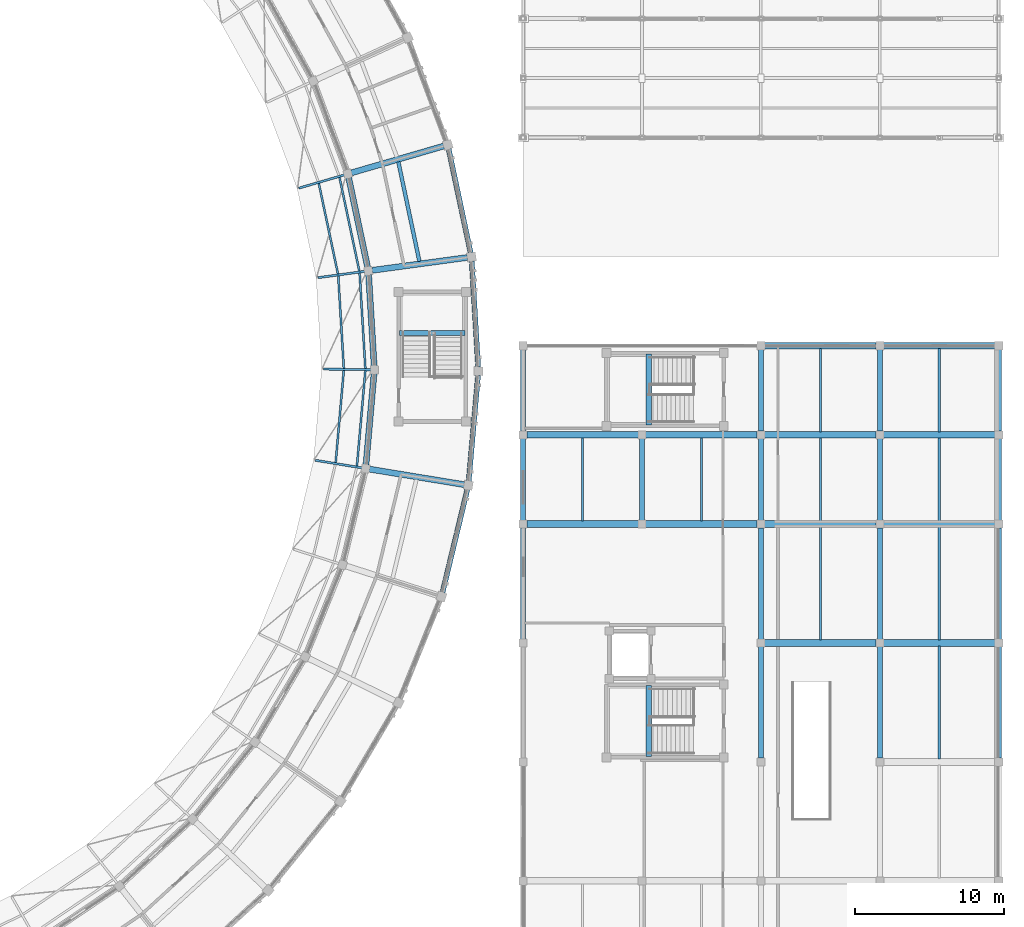
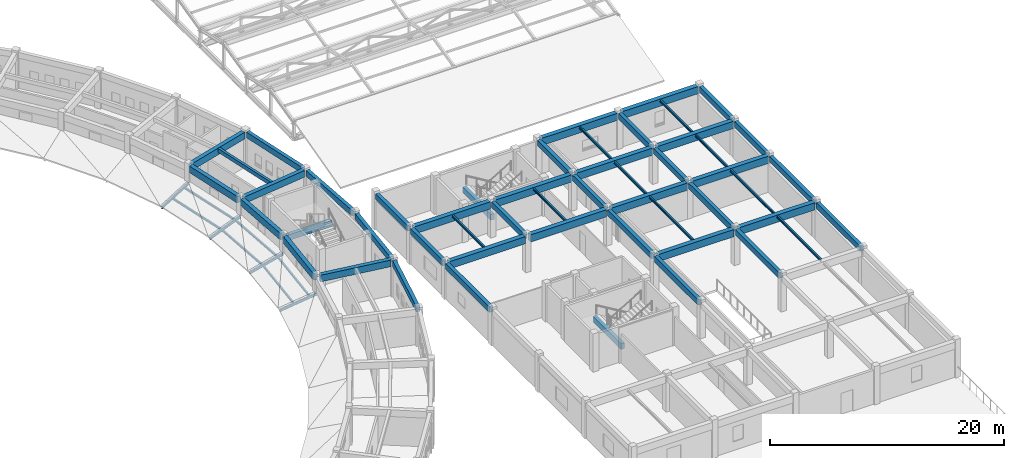
# One storey, part 36 of 112: 51 beams, 10 members.
"""IFC4 building model written with IfcOpenShell, lengths in metres."""

from ifc_helpers import new_model, si_unit, direction, frame, origin, origin_2d, place, context, subcontext, project, spatial, rectangle, i_section, extrude, material, material_profile, profile_set, type_object, element, save


model = new_model("IFC4")

# Units and contexts
model_context = context("Model", 3, precision=1e-05, world=origin(), true_north=direction((0.0, 1.0)))
body_context = subcontext(model_context, "Body", "Model", "MODEL_VIEW")
ifc_project = project(units=[si_unit("LENGTHUNIT", "METRE"), si_unit("AREAUNIT", "SQUARE_METRE"), si_unit("VOLUMEUNIT", "CUBIC_METRE"), si_unit("PLANEANGLEUNIT", "RADIAN"), si_unit("MASSUNIT", "GRAM", prefix="KILO")], contexts=[model_context])

# Site, building, storey
site_placement = place(None, origin())
site = spatial("IfcSite", under=ifc_project, at=site_placement, CompositionType="ELEMENT")
building_placement = place(site_placement, origin())
building = spatial("IfcBuilding", under=site, at=building_placement, Name="Celadon Cloister-Ring School", CompositionType="ELEMENT")
storey_placement = place(building_placement, frame((0.0, 0.0, 8.5)))
storey = spatial("IfcBuildingStorey", under=building, at=storey_placement, Name="L02", CompositionType="ELEMENT", Elevation=8.5)

# Beams
ifc_material_1 = material(Name="Concrete C35/45", Category="concrete")
ifc_material_profile_1 = material_profile(ifc_material_1, rectangle(XDim=0.35009765625, YDim=0.60009765625, at=origin_2d()), Name="RC350X600")
ifc_profile_set_1 = profile_set([ifc_material_profile_1], Name="Concrete C35/45")
beam_type_1 = type_object("IfcBeamType", Name="BT-02", PredefinedType="BEAM", material=ifc_profile_set_1)
beam_1_placement = place(storey_placement, frame((142.0, 40.25, 3.4599609375), z_axis=(0.0, 1.0, 0.0), x_axis=(-1.0, 0.0, 0.0)))
element("IfcBeam", 1, at=beam_1_placement, inside=storey, type_object=beam_type_1, Name="Beam 1403", PredefinedType="BEAM", context=body_context, shape_type="SweptSolid", body=[
    extrude(rectangle(XDim=0.35009765625, YDim=0.60009765625, at=origin_2d()), origin(), (0.0, 0.0, 1.0), 7.5),
])
for number, where, z_axis, x_axis, name in (
    (2, (142.0, 48.25, 3.4599609375), (0.0, 1.0, 0.0), (-1.0, 0.0, 0.0), "Beam 1404"),
    (3, (142.0, 54.25, 3.4599609375), (0.0, 1.0, 0.0), (-1.0, 0.0, 0.0), "Beam 1405"),
    (4, (150.0, 48.25, 3.4599609375), (0.0, 1.0, 0.0), (-1.0, 0.0, 0.0), "Beam 1407"),
):
    element("IfcBeam", number, at=place(storey_placement, frame(where, z_axis=z_axis, x_axis=x_axis)), inside=storey, type_object=beam_type_1, Name=name, PredefinedType="BEAM", context=body_context, shape_type="SweptSolid", body=[
        extrude(rectangle(XDim=0.35009765625, YDim=0.60009765625, at=origin_2d()), origin(), (0.0, 0.0, 1.0), 5.5),
    ])
for number, where, z_axis, x_axis, name in (
    (5, (158.0, 32.25, 3.4599609375), (0.0, 1.0, 0.0), (-1.0, 0.0, 0.0), "Beam 1410"),
    (6, (158.0, 40.25, 3.4599609375), (0.0, 1.0, 0.0), (-1.0, 0.0, 0.0), "Beam 1411"),
):
    element("IfcBeam", number, at=place(storey_placement, frame(where, z_axis=z_axis, x_axis=x_axis)), inside=storey, type_object=beam_type_1, Name=name, PredefinedType="BEAM", context=body_context, shape_type="SweptSolid", body=[
        extrude(rectangle(XDim=0.35009765625, YDim=0.60009765625, at=origin_2d()), origin(), (0.0, 0.0, 1.0), 7.5),
    ])
for number, where, z_axis, x_axis, name in (
    (7, (158.0, 48.25, 3.4599609375), (0.0, 1.0, 0.0), (-1.0, 0.0, 0.0), "Beam 1412"),
    (8, (158.0, 54.25, 3.4599609375), (0.0, 1.0, 0.0), (-1.0, 0.0, 0.0), "Beam 1413"),
):
    element("IfcBeam", number, at=place(storey_placement, frame(where, z_axis=z_axis, x_axis=x_axis)), inside=storey, type_object=beam_type_1, Name=name, PredefinedType="BEAM", context=body_context, shape_type="SweptSolid", body=[
        extrude(rectangle(XDim=0.35009765625, YDim=0.60009765625, at=origin_2d()), origin(), (0.0, 0.0, 1.0), 5.5),
    ])
for number, where, z_axis, x_axis, name in (
    (9, (166.0, 32.25, 3.4599609375), (0.0, 1.0, 0.0), (-1.0, 0.0, 0.0), "Beam 1416"),
    (10, (166.0, 40.25, 3.4599609375), (0.0, 1.0, 0.0), (-1.0, 0.0, 0.0), "Beam 1417"),
):
    element("IfcBeam", number, at=place(storey_placement, frame(where, z_axis=z_axis, x_axis=x_axis)), inside=storey, type_object=beam_type_1, Name=name, PredefinedType="BEAM", context=body_context, shape_type="SweptSolid", body=[
        extrude(rectangle(XDim=0.35009765625, YDim=0.60009765625, at=origin_2d()), origin(), (0.0, 0.0, 1.0), 7.5),
    ])
for number, where, z_axis, x_axis, name in (
    (11, (166.0, 48.25, 3.4599609375), (0.0, 1.0, 0.0), (-1.0, 0.0, 0.0), "Beam 1418"),
    (12, (166.0, 54.25, 3.4599609375), (0.0, 1.0, 0.0), (-1.0, 0.0, 0.0), "Beam 1419"),
):
    element("IfcBeam", number, at=place(storey_placement, frame(where, z_axis=z_axis, x_axis=x_axis)), inside=storey, type_object=beam_type_1, Name=name, PredefinedType="BEAM", context=body_context, shape_type="SweptSolid", body=[
        extrude(rectangle(XDim=0.35009765625, YDim=0.60009765625, at=origin_2d()), origin(), (0.0, 0.0, 1.0), 5.5),
    ])
for number, where, z_axis, x_axis, name in (
    (13, (174.0, 32.25, 3.4599609375), (0.0, 1.0, 0.0), (-1.0, 0.0, 0.0), "Beam 1422"),
    (14, (174.0, 40.25, 3.4599609375), (0.0, 1.0, 0.0), (-1.0, 0.0, 0.0), "Beam 1423"),
):
    element("IfcBeam", number, at=place(storey_placement, frame(where, z_axis=z_axis, x_axis=x_axis)), inside=storey, type_object=beam_type_1, Name=name, PredefinedType="BEAM", context=body_context, shape_type="SweptSolid", body=[
        extrude(rectangle(XDim=0.35009765625, YDim=0.60009765625, at=origin_2d()), origin(), (0.0, 0.0, 1.0), 7.5),
    ])
for number, where, z_axis, x_axis, name in (
    (15, (174.0, 48.25, 3.4599609375), (0.0, 1.0, 0.0), (-1.0, 0.0, 0.0), "Beam 1424"),
    (16, (174.0, 54.25, 3.4599609375), (0.0, 1.0, 0.0), (-1.0, 0.0, 0.0), "Beam 1425"),
):
    element("IfcBeam", number, at=place(storey_placement, frame(where, z_axis=z_axis, x_axis=x_axis)), inside=storey, type_object=beam_type_1, Name=name, PredefinedType="BEAM", context=body_context, shape_type="SweptSolid", body=[
        extrude(rectangle(XDim=0.35009765625, YDim=0.60009765625, at=origin_2d()), origin(), (0.0, 0.0, 1.0), 5.5),
    ])
beam_2_placement = place(storey_placement, frame((150.449951171875, 32.35009765625, 1.419921875), z_axis=(0.0, 1.0, 0.0), x_axis=(-1.0, 0.0, 0.0)))
element("IfcBeam", 17, at=beam_2_placement, inside=storey, type_object=beam_type_1, Name="Stair Landing Beam 1747", PredefinedType="BEAM", context=body_context, shape_type="SweptSolid", body=[
    extrude(rectangle(XDim=0.35009765625, YDim=0.60009765625, at=origin_2d()), origin(), (0.0, 0.0, 1.0), 4.7998046875),
])
beam_3_placement = place(storey_placement, frame((150.449951171875, 54.64990234375, 1.39990234375), z_axis=(0.0, 1.0, 0.0), x_axis=(-1.0, 0.0, 0.0)))
element("IfcBeam", 18, at=beam_3_placement, inside=storey, type_object=beam_type_1, Name="Stair Landing Beam 1750", PredefinedType="BEAM", context=body_context, shape_type="SweptSolid", body=[
    extrude(rectangle(XDim=0.35009765625, YDim=0.60009765625, at=origin_2d()), origin(), (0.0, 0.0, 1.0), 4.800048828125),
])
beam_4_placement = place(storey_placement, frame((133.679931640625, 60.85009765625, 1.39990234375), z_axis=(1.0, 0.0, 0.0), x_axis=(0.0, 1.0, 0.0)))
element("IfcBeam", 19, at=beam_4_placement, inside=storey, type_object=beam_type_1, Name="Stair Landing Beam 1759", PredefinedType="BEAM", context=body_context, shape_type="SweptSolid", body=[
    extrude(rectangle(XDim=0.35009765625, YDim=0.60009765625, at=origin_2d()), origin(), (0.0, 0.0, 1.0), 4.420166015625),
])
ifc_material_2 = material(Name="Concrete C35/45", Category="concrete")
ifc_material_profile_2 = material_profile(ifc_material_2, rectangle(XDim=0.449951171875, YDim=0.75, at=origin_2d()), Name="RC450X750")
ifc_profile_set_2 = profile_set([ifc_material_profile_2], Name="Concrete C35/45")
beam_type_2 = type_object("IfcBeamType", Name="GT-02", PredefinedType="USERDEFINED", material=ifc_profile_set_2)
for number, where, z_axis, x_axis, name in (
    (20, (158.25, 40.0, 3.385009765625), (1.0, 0.0, 0.0), (0.0, 1.0, 0.0), "Beam 1388"),
    (21, (166.25, 40.0, 3.385009765625), (1.0, 0.0, 0.0), (0.0, 1.0, 0.0), "Beam 1389"),
    (22, (142.25, 48.0, 3.385009765625), (1.0, 0.0, 0.0), (0.0, 1.0, 0.0), "Beam 1390"),
    (23, (150.25, 48.0, 3.385009765625), (1.0, 0.0, 0.0), (0.0, 1.0, 0.0), "Beam 1391"),
    (24, (158.25, 48.0, 3.385009765625), (1.0, 0.0, 0.0), (0.0, 1.0, 0.0), "Beam 1392"),
    (25, (166.25, 48.0, 3.385009765625), (1.0, 0.0, 0.0), (0.0, 1.0, 0.0), "Beam 1393"),
    (26, (142.25, 54.0, 3.385009765625), (1.0, 0.0, 0.0), (0.0, 1.0, 0.0), "Beam 1394"),
    (27, (150.25, 54.0, 3.385009765625), (1.0, 0.0, 0.0), (0.0, 1.0, 0.0), "Beam 1395"),
    (28, (158.25, 54.0, 3.385009765625), (1.0, 0.0, 0.0), (0.0, 1.0, 0.0), "Beam 1396"),
    (29, (166.25, 54.0, 3.385009765625), (1.0, 0.0, 0.0), (0.0, 1.0, 0.0), "Beam 1397"),
    (30, (158.25, 60.0, 3.385009765625), (1.0, 0.0, 0.0), (0.0, 1.0, 0.0), "Beam 1398"),
    (31, (166.25, 60.0, 3.385009765625), (1.0, 0.0, 0.0), (0.0, 1.0, 0.0), "Beam 1399"),
):
    element("IfcBeam", number, at=place(storey_placement, frame(where, z_axis=z_axis, x_axis=x_axis)), inside=storey, type_object=beam_type_2, Name=name, ObjectType="GIRDER", PredefinedType="USERDEFINED", context=body_context, shape_type="SweptSolid", body=[
        extrude(rectangle(XDim=0.449951171875, YDim=0.75, at=origin_2d()), origin(), (0.0, 0.0, 1.0), 7.5),
    ])
ifc_material_3 = material(Name="Concrete C35/45", Category="concrete")
ifc_material_profile_3 = material_profile(ifc_material_3, rectangle(XDim=0.39990234375, YDim=0.699951171875, at=origin_2d()), Name="RC400X700")
ifc_profile_set_3 = profile_set([ifc_material_profile_3], Name="Concrete C35/45")
beam_type_3 = type_object("IfcBeamType", Name="GT-03", PredefinedType="USERDEFINED", material=ifc_profile_set_3)
beam_5_placement = place(storey_placement, frame((138.047119140625, 50.65087890625, 3.449951171875), z_axis=(-0.986862671794, 0.161561341355, 0.0), x_axis=(-0.161561341355, -0.986862671794, 0.0)))
element("IfcBeam", 32, at=beam_5_placement, inside=storey, type_object=beam_type_3, Name="Beam 0421", ObjectType="GIRDER", PredefinedType="USERDEFINED", context=body_context, shape_type="SweptSolid", body=[
    extrude(rectangle(XDim=0.39990234375, YDim=0.699951171875, at=origin_2d()), origin(), (0.0, 0.0, 1.0), 6.47509765625),
])
beam_6_placement = place(storey_placement, frame((138.258056640625, 65.93408203125, 3.449951171875), z_axis=(-0.990969152205, -0.134090042056, 0.0), x_axis=(0.134090042056, -0.990969152205, 0.0)))
element("IfcBeam", 33, at=beam_6_placement, inside=storey, type_object=beam_type_3, Name="Beam 0422", ObjectType="GIRDER", PredefinedType="USERDEFINED", context=body_context, shape_type="SweptSolid", body=[
    extrude(rectangle(XDim=0.39990234375, YDim=0.699951171875, at=origin_2d()), origin(), (0.0, 0.0, 1.0), 6.474365234375),
])
beam_7_placement = place(storey_placement, frame((136.6708984375, 73.430908203125, 3.449951171875), z_axis=(-0.960318214268, -0.278906664217, 0.0), x_axis=(0.278906664217, -0.960318214268, 0.0)))
element("IfcBeam", 34, at=beam_7_placement, inside=storey, type_object=beam_type_3, Name="Beam 0423", ObjectType="GIRDER", PredefinedType="USERDEFINED", context=body_context, shape_type="SweptSolid", body=[
    extrude(rectangle(XDim=0.39990234375, YDim=0.699951171875, at=origin_2d()), origin(), (0.0, 0.0, 1.0), 6.474853515625),
])
beam_8_placement = place(storey_placement, frame((131.431884765625, 51.986083984375, 3.449951171875), z_axis=(0.087929628242, 0.996126688969, 0.0), x_axis=(-0.996126688969, 0.087929628242, 0.0)))
element("IfcBeam", 35, at=beam_8_placement, inside=storey, type_object=beam_type_3, Name="Beam 0503", ObjectType="GIRDER", PredefinedType="USERDEFINED", context=body_context, shape_type="SweptSolid", body=[
    extrude(rectangle(XDim=0.39990234375, YDim=0.699951171875, at=origin_2d()), origin(), (0.0, 0.0, 1.0), 6.166748046875),
])
beam_9_placement = place(storey_placement, frame((131.98095703125, 58.6279296875, 3.449951171875), z_axis=(-0.060349198433, 0.998177326054, 0.0), x_axis=(-0.998177326054, -0.060349198433, 0.0)))
element("IfcBeam", 36, at=beam_9_placement, inside=storey, type_object=beam_type_3, Name="Beam 0505", ObjectType="GIRDER", PredefinedType="USERDEFINED", context=body_context, shape_type="SweptSolid", body=[
    extrude(rectangle(XDim=0.39990234375, YDim=0.699951171875, at=origin_2d()), origin(), (0.0, 0.0, 1.0), 6.165283203125),
])
beam_10_placement = place(storey_placement, frame((131.5419921875, 65.277099609375, 3.449951171875), z_axis=(-0.207097779253, 0.978320249115, 0.0), x_axis=(-0.978320249115, -0.207097779253, 0.0)))
element("IfcBeam", 37, at=beam_10_placement, inside=storey, type_object=beam_type_3, Name="Beam 0507", ObjectType="GIRDER", PredefinedType="USERDEFINED", context=body_context, shape_type="SweptSolid", body=[
    extrude(rectangle(XDim=0.39990234375, YDim=0.699951171875, at=origin_2d()), origin(), (0.0, 0.0, 1.0), 6.166748046875),
])
ifc_material_4 = material(Name="Concrete C35/45", Category="concrete")
ifc_material_profile_4 = material_profile(ifc_material_4, rectangle(XDim=0.25, YDim=0.39990234375, at=origin_2d()), Name="RC250X400")
ifc_profile_set_4 = profile_set([ifc_material_profile_4], Name="Concrete C35/45")
beam_type_4 = type_object("IfcBeamType", Name="JT-02", PredefinedType="JOIST", material=ifc_profile_set_4)
beam_11_placement = place(storey_placement, frame((135.02587890625, 65.673095703125, 3.60009765625), z_axis=(-0.20712821328, 0.978313806129, 0.0), x_axis=(-0.978313806129, -0.20712821328, 0.0)))
element("IfcBeam", 38, at=beam_11_placement, inside=storey, type_object=beam_type_4, Name="Beam 0508", PredefinedType="JOIST", context=body_context, shape_type="SweptSolid", body=[
    extrude(rectangle(XDim=0.25, YDim=0.39990234375, at=origin_2d()), origin(), (0.0, 0.0, 1.0), 6.835205078125),
])
ifc_material_5 = material(Name="Structural steel S355JR", Category="steel")
ifc_material_profile_5 = material_profile(ifc_material_5, i_section(OverallWidth=0.14599609375, OverallDepth=0.258056640625, WebThickness=0.006103515625, FlangeThickness=0.009033203125, at=origin_2d()), Name="W250X33")
ifc_profile_set_5 = profile_set([ifc_material_profile_5], Name="Structural steel S355JR")
beam_type_5 = type_object("IfcBeamType", Name="JT-04", PredefinedType="JOIST", material=ifc_profile_set_5)
for number, where, z_axis, x_axis, name in (
    (39, (146.0, 48.199951171875, 3.631103515625), (0.0, 1.0, 0.0), (-1.0, 0.0, 0.0), "Beam 1427"),
    (40, (154.0, 48.199951171875, 3.631103515625), (0.0, 1.0, 0.0), (-1.0, 0.0, 0.0), "Beam 1429"),
):
    element("IfcBeam", number, at=place(storey_placement, frame(where, z_axis=z_axis, x_axis=x_axis)), inside=storey, type_object=beam_type_5, Name=name, PredefinedType="JOIST", context=body_context, shape_type="SweptSolid", body=[
        extrude(i_section(OverallWidth=0.14599609375, OverallDepth=0.258056640625, WebThickness=0.006103515625, FlangeThickness=0.009033203125, at=origin_2d()), origin(), (0.0, 0.0, 1.0), 5.60009765625),
    ])
beam_12_placement = place(storey_placement, frame((162.0, 40.199951171875, 3.631103515625), z_axis=(0.0, 1.0, 0.0), x_axis=(-1.0, 0.0, 0.0)))
element("IfcBeam", 41, at=beam_12_placement, inside=storey, type_object=beam_type_5, Name="Beam 1430", PredefinedType="JOIST", context=body_context, shape_type="SweptSolid", body=[
    extrude(i_section(OverallWidth=0.14599609375, OverallDepth=0.258056640625, WebThickness=0.006103515625, FlangeThickness=0.009033203125, at=origin_2d()), origin(), (0.0, 0.0, 1.0), 7.60009765625),
])
for number, where, z_axis, x_axis, name in (
    (42, (162.0, 48.199951171875, 3.631103515625), (0.0, 1.0, 0.0), (-1.0, 0.0, 0.0), "Beam 1431"),
    (43, (162.0, 54.199951171875, 3.631103515625), (0.0, 1.0, 0.0), (-1.0, 0.0, 0.0), "Beam 1432"),
):
    element("IfcBeam", number, at=place(storey_placement, frame(where, z_axis=z_axis, x_axis=x_axis)), inside=storey, type_object=beam_type_5, Name=name, PredefinedType="JOIST", context=body_context, shape_type="SweptSolid", body=[
        extrude(i_section(OverallWidth=0.14599609375, OverallDepth=0.258056640625, WebThickness=0.006103515625, FlangeThickness=0.009033203125, at=origin_2d()), origin(), (0.0, 0.0, 1.0), 5.60009765625),
    ])
for number, where, z_axis, x_axis, name in (
    (44, (170.0, 32.199951171875, 3.631103515625), (0.0, 1.0, 0.0), (-1.0, 0.0, 0.0), "Beam 1435"),
    (45, (170.0, 40.199951171875, 3.631103515625), (0.0, 1.0, 0.0), (-1.0, 0.0, 0.0), "Beam 1436"),
):
    element("IfcBeam", number, at=place(storey_placement, frame(where, z_axis=z_axis, x_axis=x_axis)), inside=storey, type_object=beam_type_5, Name=name, PredefinedType="JOIST", context=body_context, shape_type="SweptSolid", body=[
        extrude(i_section(OverallWidth=0.14599609375, OverallDepth=0.258056640625, WebThickness=0.006103515625, FlangeThickness=0.009033203125, at=origin_2d()), origin(), (0.0, 0.0, 1.0), 7.60009765625),
    ])
for number, where, z_axis, x_axis, name in (
    (46, (170.0, 48.199951171875, 3.631103515625), (0.0, 1.0, 0.0), (-1.0, 0.0, 0.0), "Beam 1437"),
    (47, (170.0, 54.199951171875, 3.631103515625), (0.0, 1.0, 0.0), (-1.0, 0.0, 0.0), "Beam 1438"),
):
    element("IfcBeam", number, at=place(storey_placement, frame(where, z_axis=z_axis, x_axis=x_axis)), inside=storey, type_object=beam_type_5, Name=name, PredefinedType="JOIST", context=body_context, shape_type="SweptSolid", body=[
        extrude(i_section(OverallWidth=0.14599609375, OverallDepth=0.258056640625, WebThickness=0.006103515625, FlangeThickness=0.009033203125, at=origin_2d()), origin(), (0.0, 0.0, 1.0), 5.60009765625),
    ])

# Members
ifc_material_6 = material(Name="Structural steel S355JR", Category="steel")
ifc_material_profile_6 = material_profile(ifc_material_6, i_section(OverallWidth=0.133056640625, OverallDepth=0.20703125, WebThickness=0.005859375, FlangeThickness=0.00830078125, at=origin_2d()), Name="W200X27")
ifc_profile_set_6 = profile_set([ifc_material_profile_6], Name="Structural steel S355JR")
member_type_1 = type_object("IfcMemberType", Name="MP-04", PredefinedType="PURLIN", material=ifc_profile_set_6)
member_1_placement = place(storey_placement, frame((129.386962890625, 52.068115234375, 1.23291015625), z_axis=(0.087871413003, 0.996131826003, 0.0), x_axis=(-0.996131826003, 0.087871413003, 0.0)))
element("IfcMember", 48, at=member_1_placement, inside=storey, type_object=member_type_1, Name="Structural Member 0214", PredefinedType="PURLIN", context=body_context, shape_type="SweptSolid", body=[
    extrude(i_section(OverallWidth=0.133056640625, OverallDepth=0.20703125, WebThickness=0.005859375, FlangeThickness=0.00830078125, at=origin_2d()), origin(), (0.0, 0.0, 1.0), 6.362548828125),
])
member_2_placement = place(storey_placement, frame((130.818115234375, 51.833984375, 1.62890625), z_axis=(0.087858062359, 0.996133003609, 0.0), x_axis=(-0.996133003609, 0.087858062359, 0.0)))
element("IfcMember", 49, at=member_2_placement, inside=storey, type_object=member_type_1, Name="Structural Member 0215", PredefinedType="PURLIN", context=body_context, shape_type="SweptSolid", body=[
    extrude(i_section(OverallWidth=0.133056640625, OverallDepth=0.20703125, WebThickness=0.005859375, FlangeThickness=0.00830078125, at=origin_2d()), origin(), (0.0, 0.0, 1.0), 6.577392578125),
])
member_3_placement = place(storey_placement, frame((129.946044921875, 58.406005859375, 1.23291015625), z_axis=(-0.060347953428, 0.998177401326, 0.0), x_axis=(-0.998177401326, -0.060347953428, 0.0)))
element("IfcMember", 50, at=member_3_placement, inside=storey, type_object=member_type_1, Name="Structural Member 0219", PredefinedType="PURLIN", context=body_context, shape_type="SweptSolid", body=[
    extrude(i_section(OverallWidth=0.133056640625, OverallDepth=0.20703125, WebThickness=0.005859375, FlangeThickness=0.00830078125, at=origin_2d()), origin(), (0.0, 0.0, 1.0), 6.36376953125),
])
member_4_placement = place(storey_placement, frame((131.39599609375, 58.385986328125, 1.62890625), z_axis=(-0.060349383282, 0.998177314878, 0.0), x_axis=(-0.998177314878, -0.060349383282, 0.0)))
element("IfcMember", 51, at=member_4_placement, inside=storey, type_object=member_type_1, Name="Structural Member 0220", PredefinedType="PURLIN", context=body_context, shape_type="SweptSolid", body=[
    extrude(i_section(OverallWidth=0.133056640625, OverallDepth=0.20703125, WebThickness=0.005859375, FlangeThickness=0.00830078125, at=origin_2d()), origin(), (0.0, 0.0, 1.0), 6.577880859375),
])
member_5_placement = place(storey_placement, frame((129.56201171875, 64.758056640625, 1.23291015625), z_axis=(-0.206973423298, 0.978346565409, 0.0), x_axis=(-0.978346565409, -0.206973423298, 0.0)))
element("IfcMember", 52, at=member_5_placement, inside=storey, type_object=member_type_1, Name="Structural Member 0224", PredefinedType="PURLIN", context=body_context, shape_type="SweptSolid", body=[
    extrude(i_section(OverallWidth=0.133056640625, OverallDepth=0.20703125, WebThickness=0.005859375, FlangeThickness=0.00830078125, at=origin_2d()), origin(), (0.0, 0.0, 1.0), 6.362548828125),
])
member_6_placement = place(storey_placement, frame((130.9990234375, 64.951904296875, 1.62890625), z_axis=(-0.207074735669, 0.978325126861, 0.0), x_axis=(-0.978325126861, -0.207074735669, 0.0)))
element("IfcMember", 53, at=member_6_placement, inside=storey, type_object=member_type_1, Name="Structural Member 0225", PredefinedType="PURLIN", context=body_context, shape_type="SweptSolid", body=[
    extrude(i_section(OverallWidth=0.133056640625, OverallDepth=0.20703125, WebThickness=0.005859375, FlangeThickness=0.00830078125, at=origin_2d()), origin(), (0.0, 0.0, 1.0), 6.57763671875),
])
ifc_material_7 = material(Name="Structural steel S355JR", Category="steel")
ifc_material_profile_7 = material_profile(ifc_material_7, i_section(OverallWidth=0.14599609375, OverallDepth=0.258056640625, WebThickness=0.006103515625, FlangeThickness=0.009033203125, at=origin_2d()), Name="W250X33")
ifc_profile_set_7 = profile_set([ifc_material_profile_7], Name="Structural steel S355JR")
member_type_2 = type_object("IfcMemberType", Name="MR-06", PredefinedType="RAFTER", material=ifc_profile_set_7)
member_7_placement = place(storey_placement, frame((128.054931640625, 52.285888671875, 0.9130859375), z_axis=(0.953306829069, -0.155927826495, 0.258636042682), x_axis=(0.161420173222, 0.986885772355, 0.0)))
element("IfcMember", 54, at=member_7_placement, inside=storey, type_object=member_type_2, Name="Structural Member 0055", PredefinedType="RAFTER", context=body_context, shape_type="SweptSolid", body=[
    extrude(i_section(OverallWidth=0.14599609375, OverallDepth=0.258056640625, WebThickness=0.006103515625, FlangeThickness=0.009033203125, at=origin_2d()), origin(), (0.0, 0.0, 1.0), 3.468017578125),
])
member_8_placement = place(storey_placement, frame((128.595947265625, 58.425048828125, 0.912109375), z_axis=(0.965889578499, -0.013303682432, 0.258612324108), x_axis=(0.01377219611, 0.99990515881, 0.0)))
element("IfcMember", 55, at=member_8_placement, inside=storey, type_object=member_type_2, Name="Structural Member 0057", PredefinedType="RAFTER", context=body_context, shape_type="SweptSolid", body=[
    extrude(i_section(OverallWidth=0.14599609375, OverallDepth=0.258056640625, WebThickness=0.006103515625, FlangeThickness=0.009033203125, at=origin_2d()), origin(), (0.0, 0.0, 1.0), 3.468505859375),
])
member_9_placement = place(storey_placement, frame((128.22509765625, 64.576904296875, 0.912109375), z_axis=(0.957236045192, 0.129495151325, 0.258708638372), x_axis=(-0.134059140757, 0.990973333032, 0.0)))
element("IfcMember", 56, at=member_9_placement, inside=storey, type_object=member_type_2, Name="Structural Member 0059", PredefinedType="RAFTER", context=body_context, shape_type="SweptSolid", body=[
    extrude(i_section(OverallWidth=0.14599609375, OverallDepth=0.258056640625, WebThickness=0.006103515625, FlangeThickness=0.009033203125, at=origin_2d()), origin(), (0.0, 0.0, 1.0), 3.467041015625),
])
member_10_placement = place(storey_placement, frame((126.947998046875, 70.60595703125, 0.9130859375), z_axis=(0.927588640649, 0.26961102631, 0.258629480591), x_axis=(-0.279107202293, 0.960259948987, 0.0)))
element("IfcMember", 57, at=member_10_placement, inside=storey, type_object=member_type_2, Name="Structural Member 0061", PredefinedType="RAFTER", context=body_context, shape_type="SweptSolid", body=[
    extrude(i_section(OverallWidth=0.14599609375, OverallDepth=0.258056640625, WebThickness=0.006103515625, FlangeThickness=0.009033203125, at=origin_2d()), origin(), (0.0, 0.0, 1.0), 3.46826171875),
])

# Beams
ifc_material_8 = material(Name="Concrete C35/45", Category="concrete")
ifc_material_profile_8 = material_profile(ifc_material_8, rectangle(XDim=0.35009765625, YDim=0.60009765625, at=origin_2d()), Name="RC350X600")
ifc_profile_set_8 = profile_set([ifc_material_profile_8], Name="Concrete C35/45")
beam_type_6 = type_object("IfcBeamType", Name="SP-01", PredefinedType="SPANDREL", material=ifc_profile_set_8)
beam_13_placement = place(storey_placement, frame((136.5791015625, 43.385009765625, 3.5), z_axis=(0.234111184794, 0.972209829797, 0.0), x_axis=(-0.972209829797, 0.234111184794, 0.0)))
element("IfcBeam", 58, at=beam_13_placement, inside=storey, type_object=beam_type_6, Name="Beam 0499", PredefinedType="SPANDREL", context=body_context, shape_type="SweptSolid", body=[
    extrude(rectangle(XDim=0.35009765625, YDim=0.60009765625, at=origin_2d()), origin(), (0.0, 0.0, 1.0), 7.15380859375),
])
beam_14_placement = place(storey_placement, frame((138.342041015625, 50.881103515625, 3.5), z_axis=(0.087913730485, 0.996128092161, 0.0), x_axis=(-0.996128092161, 0.087913730485, 0.0)))
element("IfcBeam", 59, at=beam_14_placement, inside=storey, type_object=beam_type_6, Name="Beam 0502", PredefinedType="SPANDREL", context=body_context, shape_type="SweptSolid", body=[
    extrude(rectangle(XDim=0.35009765625, YDim=0.60009765625, at=origin_2d()), origin(), (0.0, 0.0, 1.0), 7.153564453125),
])
beam_15_placement = place(storey_placement, frame((138.97802734375, 58.555908203125, 3.5), z_axis=(-0.060104502179, 0.99819209014, 0.0), x_axis=(-0.99819209014, -0.060104502179, 0.0)))
element("IfcBeam", 60, at=beam_15_placement, inside=storey, type_object=beam_type_6, Name="Beam 0504", PredefinedType="SPANDREL", context=body_context, shape_type="SweptSolid", body=[
    extrude(rectangle(XDim=0.35009765625, YDim=0.60009765625, at=origin_2d()), origin(), (0.0, 0.0, 1.0), 7.153076171875),
])
beam_16_placement = place(storey_placement, frame((138.47412109375, 66.239990234375, 3.5), z_axis=(-0.207174668575, 0.97830396948, 0.0), x_axis=(-0.97830396948, -0.207174668575, 0.0)))
element("IfcBeam", 61, at=beam_16_placement, inside=storey, type_object=beam_type_6, Name="Beam 0506", PredefinedType="SPANDREL", context=body_context, shape_type="SweptSolid", body=[
    extrude(rectangle(XDim=0.35009765625, YDim=0.60009765625, at=origin_2d()), origin(), (0.0, 0.0, 1.0), 7.154296875),
])

save(model, "model.ifc")
